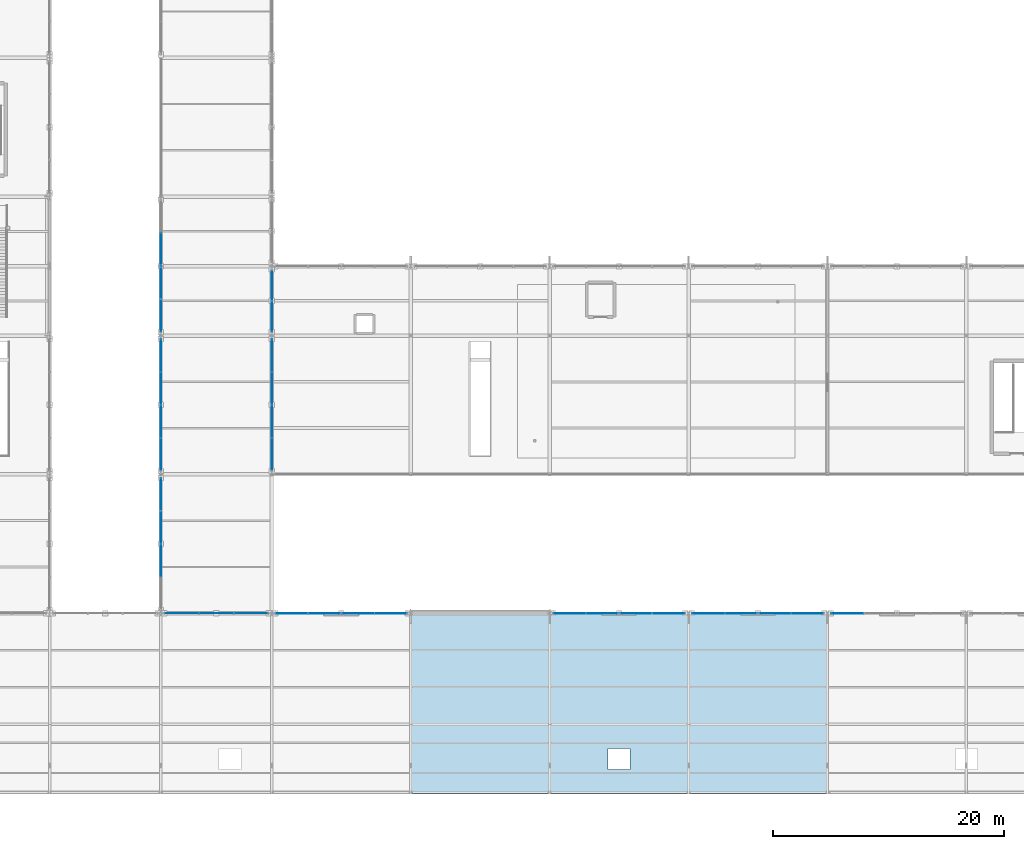
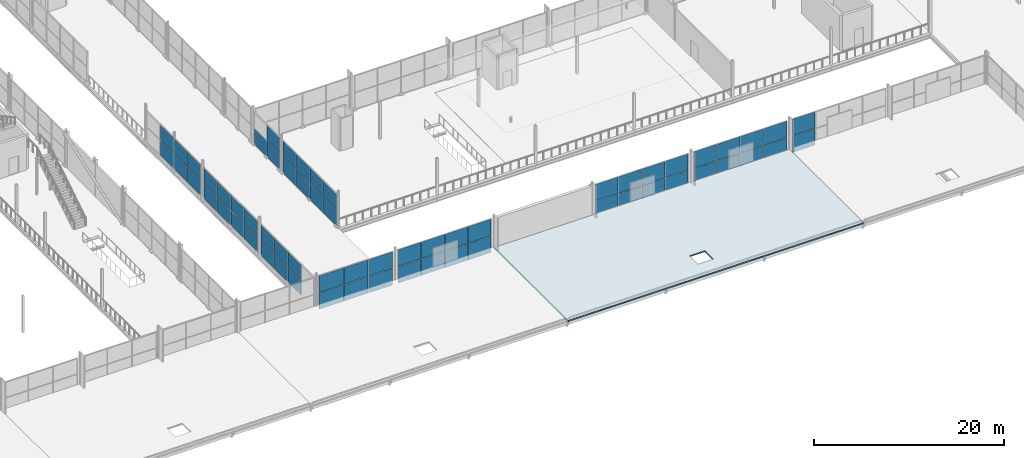
# One storey, part 121 of 159: 63 plates, 1 slab, 10 elements without a shape of their own.
"""IFC4 building model written with IfcOpenShell, lengths in metres."""

from ifc_helpers import new_model, si_unit, direction, frame, origin, origin_2d, place, context, subcontext, project, spatial, polyline, rectangle, outline, extrude, material, layer, layer_set, type_object, element, aggregate, save


model = new_model("IFC4")

# Units and contexts
model_context = context("Model", 3, precision=1e-05, world=origin(), true_north=direction((0.0, 1.0)))
body_context = subcontext(model_context, "Body", "Model", "MODEL_VIEW")
ifc_project = project(units=[si_unit("LENGTHUNIT", "METRE"), si_unit("AREAUNIT", "SQUARE_METRE"), si_unit("VOLUMEUNIT", "CUBIC_METRE"), si_unit("PLANEANGLEUNIT", "RADIAN"), si_unit("MASSUNIT", "GRAM", prefix="KILO")], contexts=[model_context])

# Site, building, storey
site_placement = place(None, origin())
site = spatial("IfcSite", under=ifc_project, at=site_placement, CompositionType="ELEMENT")
building_placement = place(site_placement, origin())
building = spatial("IfcBuilding", under=site, at=building_placement, Name="Merenkruunu Market Hall", CompositionType="ELEMENT")
storey_placement = place(building_placement, frame((0.0, 0.0, 5.39990234375)))
storey = spatial("IfcBuildingStorey", under=building, at=storey_placement, Name="L01", CompositionType="ELEMENT", Elevation=5.39990234375)

# Curtain wall, plates
ifc_material_1 = material(Name="Powder-coated aluminium", Category="aluminium")
curtain_wall_type_1 = type_object("IfcCurtainWallType", Name="Glazed Curtain Wall CW03", PredefinedType="USERDEFINED", material=ifc_material_1)
curtain_wall_1_placement = place(storey_placement, origin())
curtain_wall_1 = element("IfcCurtainWall", 1, at=curtain_wall_1_placement, inside=storey, type_object=curtain_wall_type_1, Name="CW-L01-CWM03-146", ObjectType="GLAZED_FACADE", PredefinedType="USERDEFINED")
ifc_material_2 = material(Name="Triple low-E insulated glass", Category="glass")
ifc_layer_1 = layer(ifc_material_2, 0.035888671875)
ifc_layer_set_1 = layer_set([ifc_layer_1], Name="Triple low-E insulated glass")
plate_type_1 = type_object("IfcPlateType", Name="Curtain Wall Glazing Panel CWP01", PredefinedType="CURTAIN_PANEL", material=ifc_layer_set_1)
plate_1_placement = place(storey_placement, frame((74.998291015625, 15.60009765625, 0.06005859375), z_axis=(0.0, 0.0, 1.0), x_axis=(-1.0, 0.0, 0.0)))
plate_1 = element("IfcPlate", 2, at=plate_1_placement, type_object=plate_type_1, Name="CW03 panel 1.1", PredefinedType="CURTAIN_PANEL", context=body_context, shape_type="SweptSolid", body=[
    extrude(rectangle(XDim=2.92333984375, YDim=0.035888671875, at=origin_2d()), origin(), (0.0, 0.0, 1.0), 2.110107421875),
])
plate_2_placement = place(storey_placement, frame((74.998291015625, 15.60009765625, 2.22998046875), z_axis=(0.0, 0.0, 1.0), x_axis=(-1.0, 0.0, 0.0)))
plate_2 = element("IfcPlate", 3, at=plate_2_placement, type_object=plate_type_1, Name="CW03 panel 1.2", PredefinedType="CURTAIN_PANEL", context=body_context, shape_type="SweptSolid", body=[
    extrude(rectangle(XDim=2.92333984375, YDim=0.035888671875, at=origin_2d()), origin(), (0.0, 0.0, 1.0), 2.110107421875),
])
plate_3_placement = place(storey_placement, frame((72.0, 15.60009765625, 0.06005859375), z_axis=(0.0, 0.0, 1.0), x_axis=(-1.0, 0.0, 0.0)))
plate_3 = element("IfcPlate", 4, at=plate_3_placement, type_object=plate_type_1, Name="CW03 panel 2.1", PredefinedType="CURTAIN_PANEL", context=body_context, shape_type="SweptSolid", body=[
    extrude(rectangle(XDim=2.953369140625, YDim=0.035888671875, at=origin_2d()), origin(), (0.0, 0.0, 1.0), 2.110107421875),
])
plate_4_placement = place(storey_placement, frame((72.0, 15.60009765625, 2.22998046875), z_axis=(0.0, 0.0, 1.0), x_axis=(-1.0, 0.0, 0.0)))
plate_4 = element("IfcPlate", 5, at=plate_4_placement, type_object=plate_type_1, Name="CW03 panel 2.2", PredefinedType="CURTAIN_PANEL", context=body_context, shape_type="SweptSolid", body=[
    extrude(rectangle(XDim=2.953369140625, YDim=0.035888671875, at=origin_2d()), origin(), (0.0, 0.0, 1.0), 2.110107421875),
])
plate_5_placement = place(storey_placement, frame((69.001708984375, 15.60009765625, 0.06005859375), z_axis=(0.0, 0.0, 1.0), x_axis=(-1.0, 0.0, 0.0)))
plate_5 = element("IfcPlate", 6, at=plate_5_placement, type_object=plate_type_1, Name="CW03 panel 3.1", PredefinedType="CURTAIN_PANEL", context=body_context, shape_type="SweptSolid", body=[
    extrude(rectangle(XDim=2.92333984375, YDim=0.035888671875, at=origin_2d()), origin(), (0.0, 0.0, 1.0), 2.110107421875),
])
plate_6_placement = place(storey_placement, frame((69.001708984375, 15.60009765625, 2.22998046875), z_axis=(0.0, 0.0, 1.0), x_axis=(-1.0, 0.0, 0.0)))
plate_6 = element("IfcPlate", 7, at=plate_6_placement, type_object=plate_type_1, Name="CW03 panel 3.2", PredefinedType="CURTAIN_PANEL", context=body_context, shape_type="SweptSolid", body=[
    extrude(rectangle(XDim=2.92333984375, YDim=0.035888671875, at=origin_2d()), origin(), (0.0, 0.0, 1.0), 2.110107421875),
])
aggregate(curtain_wall_1, [plate_1, plate_2, plate_3, plate_4, plate_5, plate_6])

curtain_wall_type_2 = type_object("IfcCurtainWallType", Name="Glazed Curtain Wall CW02", PredefinedType="USERDEFINED", material=ifc_material_1)
curtain_wall_2_placement = place(storey_placement, origin())
curtain_wall_2 = element("IfcCurtainWall", 8, at=curtain_wall_2_placement, inside=storey, type_object=curtain_wall_type_2, Name="CW-L01-CWM02-181", ObjectType="GLAZED_FACADE", PredefinedType="USERDEFINED")
ifc_layer_2 = layer(ifc_material_2, 0.0380859375)
ifc_layer_set_2 = layer_set([ifc_layer_2], Name="Triple low-E insulated glass")
plate_type_2 = type_object("IfcPlateType", Name="Curtain Wall Glazing Panel CWP04", PredefinedType="CURTAIN_PANEL", material=ifc_layer_set_2)
plate_7_placement = place(storey_placement, frame((87.074951171875, 15.60009765625, 0.06005859375), z_axis=(0.0, 0.0, 1.0), x_axis=(-1.0, 0.0, 0.0)))
plate_7 = element("IfcPlate", 9, at=plate_7_placement, type_object=plate_type_2, Name="CW02 panel 1.1", PredefinedType="CURTAIN_PANEL", context=body_context, shape_type="SweptSolid", body=[
    extrude(rectangle(XDim=2.77001953125, YDim=0.0380859375, at=origin_2d()), origin(), (0.0, 0.0, 1.0), 2.110107421875),
])
plate_8_placement = place(storey_placement, frame((87.074951171875, 15.60009765625, 2.22998046875), z_axis=(0.0, 0.0, 1.0), x_axis=(-1.0, 0.0, 0.0)))
plate_8 = element("IfcPlate", 10, at=plate_8_placement, type_object=plate_type_2, Name="CW02 panel 1.2", PredefinedType="CURTAIN_PANEL", context=body_context, shape_type="SweptSolid", body=[
    extrude(rectangle(XDim=2.77001953125, YDim=0.0380859375, at=origin_2d()), origin(), (0.0, 0.0, 1.0), 2.110107421875),
])
plate_9_placement = place(storey_placement, frame((84.22998046875, 15.60009765625, 0.06005859375), z_axis=(0.0, 0.0, 1.0), x_axis=(-1.0, 0.0, 0.0)))
plate_9 = element("IfcPlate", 11, at=plate_9_placement, type_object=plate_type_2, Name="CW02 panel 2.1", PredefinedType="CURTAIN_PANEL", context=body_context, shape_type="SweptSolid", body=[
    extrude(rectangle(XDim=2.800048828125, YDim=0.0380859375, at=origin_2d()), origin(), (0.0, 0.0, 1.0), 2.110107421875),
])
plate_10_placement = place(storey_placement, frame((84.22998046875, 15.60009765625, 2.22998046875), z_axis=(0.0, 0.0, 1.0), x_axis=(-1.0, 0.0, 0.0)))
plate_10 = element("IfcPlate", 12, at=plate_10_placement, type_object=plate_type_2, Name="CW02 panel 2.2", PredefinedType="CURTAIN_PANEL", context=body_context, shape_type="SweptSolid", body=[
    extrude(rectangle(XDim=2.800048828125, YDim=0.0380859375, at=origin_2d()), origin(), (0.0, 0.0, 1.0), 2.110107421875),
])
plate_11_placement = place(storey_placement, frame((81.3701171875, 15.60009765625, 0.06005859375), z_axis=(0.0, 0.0, 1.0), x_axis=(-1.0, 0.0, 0.0)))
plate_11 = element("IfcPlate", 13, at=plate_11_placement, type_object=plate_type_2, Name="CW02 panel 3.1", PredefinedType="CURTAIN_PANEL", context=body_context, shape_type="SweptSolid", body=[
    extrude(rectangle(XDim=2.800048828125, YDim=0.0380859375, at=origin_2d()), origin(), (0.0, 0.0, 1.0), 2.110107421875),
])
plate_12_placement = place(storey_placement, frame((81.3701171875, 15.60009765625, 2.22998046875), z_axis=(0.0, 0.0, 1.0), x_axis=(-1.0, 0.0, 0.0)))
plate_12 = element("IfcPlate", 14, at=plate_12_placement, type_object=plate_type_2, Name="CW02 panel 3.2", PredefinedType="CURTAIN_PANEL", context=body_context, shape_type="SweptSolid", body=[
    extrude(rectangle(XDim=2.800048828125, YDim=0.0380859375, at=origin_2d()), origin(), (0.0, 0.0, 1.0), 2.110107421875),
])
plate_13_placement = place(storey_placement, frame((78.52490234375, 15.60009765625, 0.06005859375), z_axis=(0.0, 0.0, 1.0), x_axis=(-1.0, 0.0, 0.0)))
plate_13 = element("IfcPlate", 15, at=plate_13_placement, type_object=plate_type_2, Name="CW02 panel 4.1", PredefinedType="CURTAIN_PANEL", context=body_context, shape_type="SweptSolid", body=[
    extrude(rectangle(XDim=2.77001953125, YDim=0.0380859375, at=origin_2d()), origin(), (0.0, 0.0, 1.0), 2.110107421875),
])
plate_14_placement = place(storey_placement, frame((78.52490234375, 15.60009765625, 2.22998046875), z_axis=(0.0, 0.0, 1.0), x_axis=(-1.0, 0.0, 0.0)))
plate_14 = element("IfcPlate", 16, at=plate_14_placement, type_object=plate_type_2, Name="CW02 panel 4.2", PredefinedType="CURTAIN_PANEL", context=body_context, shape_type="SweptSolid", body=[
    extrude(rectangle(XDim=2.77001953125, YDim=0.0380859375, at=origin_2d()), origin(), (0.0, 0.0, 1.0), 2.110107421875),
])
aggregate(curtain_wall_2, [plate_7, plate_8, plate_9, plate_10, plate_11, plate_12, plate_13, plate_14])

curtain_wall_3_placement = place(storey_placement, origin())
curtain_wall_3 = element("IfcCurtainWall", 17, at=curtain_wall_3_placement, inside=storey, type_object=curtain_wall_type_2, Name="CW-L01-CWM02-187", ObjectType="GLAZED_FACADE", PredefinedType="USERDEFINED")
plate_15_placement = place(storey_placement, frame((111.074951171875, 15.60009765625, 0.06005859375), z_axis=(0.0, 0.0, 1.0), x_axis=(-1.0, 0.0, 0.0)))
plate_15 = element("IfcPlate", 18, at=plate_15_placement, type_object=plate_type_2, Name="CW02 panel 1.1", PredefinedType="CURTAIN_PANEL", context=body_context, shape_type="SweptSolid", body=[
    extrude(rectangle(XDim=2.77001953125, YDim=0.0380859375, at=origin_2d()), origin(), (0.0, 0.0, 1.0), 2.110107421875),
])
plate_16_placement = place(storey_placement, frame((111.074951171875, 15.60009765625, 2.22998046875), z_axis=(0.0, 0.0, 1.0), x_axis=(-1.0, 0.0, 0.0)))
plate_16 = element("IfcPlate", 19, at=plate_16_placement, type_object=plate_type_2, Name="CW02 panel 1.2", PredefinedType="CURTAIN_PANEL", context=body_context, shape_type="SweptSolid", body=[
    extrude(rectangle(XDim=2.77001953125, YDim=0.0380859375, at=origin_2d()), origin(), (0.0, 0.0, 1.0), 2.110107421875),
])
plate_17_placement = place(storey_placement, frame((108.22998046875, 15.60009765625, 0.06005859375), z_axis=(0.0, 0.0, 1.0), x_axis=(-1.0, 0.0, 0.0)))
plate_17 = element("IfcPlate", 20, at=plate_17_placement, type_object=plate_type_2, Name="CW02 panel 2.1", PredefinedType="CURTAIN_PANEL", context=body_context, shape_type="SweptSolid", body=[
    extrude(rectangle(XDim=2.800048828125, YDim=0.0380859375, at=origin_2d()), origin(), (0.0, 0.0, 1.0), 2.110107421875),
])
plate_18_placement = place(storey_placement, frame((108.22998046875, 15.60009765625, 2.22998046875), z_axis=(0.0, 0.0, 1.0), x_axis=(-1.0, 0.0, 0.0)))
plate_18 = element("IfcPlate", 21, at=plate_18_placement, type_object=plate_type_2, Name="CW02 panel 2.2", PredefinedType="CURTAIN_PANEL", context=body_context, shape_type="SweptSolid", body=[
    extrude(rectangle(XDim=2.800048828125, YDim=0.0380859375, at=origin_2d()), origin(), (0.0, 0.0, 1.0), 2.110107421875),
])
plate_19_placement = place(storey_placement, frame((105.3701171875, 15.60009765625, 0.06005859375), z_axis=(0.0, 0.0, 1.0), x_axis=(-1.0, 0.0, 0.0)))
plate_19 = element("IfcPlate", 22, at=plate_19_placement, type_object=plate_type_2, Name="CW02 panel 3.1", PredefinedType="CURTAIN_PANEL", context=body_context, shape_type="SweptSolid", body=[
    extrude(rectangle(XDim=2.800048828125, YDim=0.0380859375, at=origin_2d()), origin(), (0.0, 0.0, 1.0), 2.110107421875),
])
plate_20_placement = place(storey_placement, frame((105.3701171875, 15.60009765625, 2.22998046875), z_axis=(0.0, 0.0, 1.0), x_axis=(-1.0, 0.0, 0.0)))
plate_20 = element("IfcPlate", 23, at=plate_20_placement, type_object=plate_type_2, Name="CW02 panel 3.2", PredefinedType="CURTAIN_PANEL", context=body_context, shape_type="SweptSolid", body=[
    extrude(rectangle(XDim=2.800048828125, YDim=0.0380859375, at=origin_2d()), origin(), (0.0, 0.0, 1.0), 2.110107421875),
])
plate_21_placement = place(storey_placement, frame((102.52490234375, 15.60009765625, 0.06005859375), z_axis=(0.0, 0.0, 1.0), x_axis=(-1.0, 0.0, 0.0)))
plate_21 = element("IfcPlate", 24, at=plate_21_placement, type_object=plate_type_2, Name="CW02 panel 4.1", PredefinedType="CURTAIN_PANEL", context=body_context, shape_type="SweptSolid", body=[
    extrude(rectangle(XDim=2.77001953125, YDim=0.0380859375, at=origin_2d()), origin(), (0.0, 0.0, 1.0), 2.110107421875),
])
plate_22_placement = place(storey_placement, frame((102.52490234375, 15.60009765625, 2.22998046875), z_axis=(0.0, 0.0, 1.0), x_axis=(-1.0, 0.0, 0.0)))
plate_22 = element("IfcPlate", 25, at=plate_22_placement, type_object=plate_type_2, Name="CW02 panel 4.2", PredefinedType="CURTAIN_PANEL", context=body_context, shape_type="SweptSolid", body=[
    extrude(rectangle(XDim=2.77001953125, YDim=0.0380859375, at=origin_2d()), origin(), (0.0, 0.0, 1.0), 2.110107421875),
])
aggregate(curtain_wall_3, [plate_15, plate_16, plate_17, plate_18, plate_19, plate_20, plate_21, plate_22])

curtain_wall_4_placement = place(storey_placement, origin())
curtain_wall_4 = element("IfcCurtainWall", 26, at=curtain_wall_4_placement, inside=storey, type_object=curtain_wall_type_2, Name="CW-L01-CWM02-191", ObjectType="GLAZED_FACADE", PredefinedType="USERDEFINED")
plate_23_placement = place(storey_placement, frame((123.074951171875, 15.60009765625, 0.06005859375), z_axis=(0.0, 0.0, 1.0), x_axis=(-1.0, 0.0, 0.0)))
plate_23 = element("IfcPlate", 27, at=plate_23_placement, type_object=plate_type_2, Name="CW02 panel 1.1", PredefinedType="CURTAIN_PANEL", context=body_context, shape_type="SweptSolid", body=[
    extrude(rectangle(XDim=2.77001953125, YDim=0.0380859375, at=origin_2d()), origin(), (0.0, 0.0, 1.0), 2.110107421875),
])
plate_24_placement = place(storey_placement, frame((123.074951171875, 15.60009765625, 2.22998046875), z_axis=(0.0, 0.0, 1.0), x_axis=(-1.0, 0.0, 0.0)))
plate_24 = element("IfcPlate", 28, at=plate_24_placement, type_object=plate_type_2, Name="CW02 panel 1.2", PredefinedType="CURTAIN_PANEL", context=body_context, shape_type="SweptSolid", body=[
    extrude(rectangle(XDim=2.77001953125, YDim=0.0380859375, at=origin_2d()), origin(), (0.0, 0.0, 1.0), 2.110107421875),
])
plate_25_placement = place(storey_placement, frame((120.22998046875, 15.60009765625, 0.06005859375), z_axis=(0.0, 0.0, 1.0), x_axis=(-1.0, 0.0, 0.0)))
plate_25 = element("IfcPlate", 29, at=plate_25_placement, type_object=plate_type_2, Name="CW02 panel 2.1", PredefinedType="CURTAIN_PANEL", context=body_context, shape_type="SweptSolid", body=[
    extrude(rectangle(XDim=2.800048828125, YDim=0.0380859375, at=origin_2d()), origin(), (0.0, 0.0, 1.0), 2.110107421875),
])
plate_26_placement = place(storey_placement, frame((120.22998046875, 15.60009765625, 2.22998046875), z_axis=(0.0, 0.0, 1.0), x_axis=(-1.0, 0.0, 0.0)))
plate_26 = element("IfcPlate", 30, at=plate_26_placement, type_object=plate_type_2, Name="CW02 panel 2.2", PredefinedType="CURTAIN_PANEL", context=body_context, shape_type="SweptSolid", body=[
    extrude(rectangle(XDim=2.800048828125, YDim=0.0380859375, at=origin_2d()), origin(), (0.0, 0.0, 1.0), 2.110107421875),
])
plate_27_placement = place(storey_placement, frame((117.3701171875, 15.60009765625, 0.06005859375), z_axis=(0.0, 0.0, 1.0), x_axis=(-1.0, 0.0, 0.0)))
plate_27 = element("IfcPlate", 31, at=plate_27_placement, type_object=plate_type_2, Name="CW02 panel 3.1", PredefinedType="CURTAIN_PANEL", context=body_context, shape_type="SweptSolid", body=[
    extrude(rectangle(XDim=2.800048828125, YDim=0.0380859375, at=origin_2d()), origin(), (0.0, 0.0, 1.0), 2.110107421875),
])
plate_28_placement = place(storey_placement, frame((117.3701171875, 15.60009765625, 2.22998046875), z_axis=(0.0, 0.0, 1.0), x_axis=(-1.0, 0.0, 0.0)))
plate_28 = element("IfcPlate", 32, at=plate_28_placement, type_object=plate_type_2, Name="CW02 panel 3.2", PredefinedType="CURTAIN_PANEL", context=body_context, shape_type="SweptSolid", body=[
    extrude(rectangle(XDim=2.800048828125, YDim=0.0380859375, at=origin_2d()), origin(), (0.0, 0.0, 1.0), 2.110107421875),
])
plate_29_placement = place(storey_placement, frame((114.52490234375, 15.60009765625, 0.06005859375), z_axis=(0.0, 0.0, 1.0), x_axis=(-1.0, 0.0, 0.0)))
plate_29 = element("IfcPlate", 33, at=plate_29_placement, type_object=plate_type_2, Name="CW02 panel 4.1", PredefinedType="CURTAIN_PANEL", context=body_context, shape_type="SweptSolid", body=[
    extrude(rectangle(XDim=2.77001953125, YDim=0.0380859375, at=origin_2d()), origin(), (0.0, 0.0, 1.0), 2.110107421875),
])
plate_30_placement = place(storey_placement, frame((114.52490234375, 15.60009765625, 2.22998046875), z_axis=(0.0, 0.0, 1.0), x_axis=(-1.0, 0.0, 0.0)))
plate_30 = element("IfcPlate", 34, at=plate_30_placement, type_object=plate_type_2, Name="CW02 panel 4.2", PredefinedType="CURTAIN_PANEL", context=body_context, shape_type="SweptSolid", body=[
    extrude(rectangle(XDim=2.77001953125, YDim=0.0380859375, at=origin_2d()), origin(), (0.0, 0.0, 1.0), 2.110107421875),
])
aggregate(curtain_wall_4, [plate_23, plate_24, plate_25, plate_26, plate_27, plate_28, plate_29, plate_30])

curtain_wall_5_placement = place(storey_placement, origin())
curtain_wall_5 = element("IfcCurtainWall", 35, at=curtain_wall_5_placement, inside=storey, type_object=curtain_wall_type_2, Name="CW-L01-CWM02-195", ObjectType="GLAZED_FACADE", PredefinedType="USERDEFINED")
plate_31_placement = place(storey_placement, frame((126.52490234375, 15.60009765625, 0.06005859375), z_axis=(0.0, 0.0, 1.0), x_axis=(-1.0, 0.0, 0.0)))
plate_31 = element("IfcPlate", 36, at=plate_31_placement, type_object=plate_type_2, Name="CW02 panel 4.1", PredefinedType="CURTAIN_PANEL", context=body_context, shape_type="SweptSolid", body=[
    extrude(rectangle(XDim=2.77001953125, YDim=0.0380859375, at=origin_2d()), origin(), (0.0, 0.0, 1.0), 2.110107421875),
])
plate_32_placement = place(storey_placement, frame((126.52490234375, 15.60009765625, 2.22998046875), z_axis=(0.0, 0.0, 1.0), x_axis=(-1.0, 0.0, 0.0)))
plate_32 = element("IfcPlate", 37, at=plate_32_placement, type_object=plate_type_2, Name="CW02 panel 4.2", PredefinedType="CURTAIN_PANEL", context=body_context, shape_type="SweptSolid", body=[
    extrude(rectangle(XDim=2.77001953125, YDim=0.0380859375, at=origin_2d()), origin(), (0.0, 0.0, 1.0), 2.110107421875),
])
aggregate(curtain_wall_5, [plate_31, plate_32])

curtain_wall_type_3 = type_object("IfcCurtainWallType", Name="Glazed Curtain Wall CW14", PredefinedType="USERDEFINED", material=ifc_material_1)
curtain_wall_6_placement = place(storey_placement, origin())
curtain_wall_6 = element("IfcCurtainWall", 38, at=curtain_wall_6_placement, inside=storey, type_object=curtain_wall_type_3, Name="CW-L01-CWM01-153", ObjectType="GLAZED_FACADE", PredefinedType="USERDEFINED")
ifc_layer_3 = layer(ifc_material_2, 0.035888671875)
ifc_layer_set_3 = layer_set([ifc_layer_3], Name="Triple low-E insulated glass")
plate_type_3 = type_object("IfcPlateType", Name="Curtain Wall Glazing Panel CWP09", PredefinedType="CURTAIN_PANEL", material=ifc_layer_set_3)
plate_33_placement = place(storey_placement, frame((76.800048828125, 29.324951171875, 0.06005859375), z_axis=(0.0, 0.0, 1.0), x_axis=(0.0, 1.0, 0.0)))
plate_33 = element("IfcPlate", 39, at=plate_33_placement, type_object=plate_type_3, Name="CW14 panel 1.1", PredefinedType="CURTAIN_PANEL", context=body_context, shape_type="SweptSolid", body=[
    extrude(rectangle(XDim=2.77001953125, YDim=0.035888671875, at=origin_2d()), origin(), (0.0, 0.0, 1.0), 2.010009765625),
])
plate_34_placement = place(storey_placement, frame((76.800048828125, 29.324951171875, 2.1298828125), z_axis=(0.0, 0.0, 1.0), x_axis=(0.0, 1.0, 0.0)))
plate_34 = element("IfcPlate", 40, at=plate_34_placement, type_object=plate_type_3, Name="CW14 panel 1.2", PredefinedType="CURTAIN_PANEL", context=body_context, shape_type="SweptSolid", body=[
    extrude(rectangle(XDim=2.77001953125, YDim=0.035888671875, at=origin_2d()), origin(), (0.0, 0.0, 1.0), 2.010009765625),
])
plate_35_placement = place(storey_placement, frame((76.800048828125, 32.169921875, 0.06005859375), z_axis=(0.0, 0.0, 1.0), x_axis=(0.0, 1.0, 0.0)))
plate_35 = element("IfcPlate", 41, at=plate_35_placement, type_object=plate_type_3, Name="CW14 panel 2.1", PredefinedType="CURTAIN_PANEL", context=body_context, shape_type="SweptSolid", body=[
    extrude(rectangle(XDim=2.800048828125, YDim=0.035888671875, at=origin_2d()), origin(), (0.0, 0.0, 1.0), 2.010009765625),
])
plate_36_placement = place(storey_placement, frame((76.800048828125, 32.169921875, 2.1298828125), z_axis=(0.0, 0.0, 1.0), x_axis=(0.0, 1.0, 0.0)))
plate_36 = element("IfcPlate", 42, at=plate_36_placement, type_object=plate_type_3, Name="CW14 panel 2.2", PredefinedType="CURTAIN_PANEL", context=body_context, shape_type="SweptSolid", body=[
    extrude(rectangle(XDim=2.800048828125, YDim=0.035888671875, at=origin_2d()), origin(), (0.0, 0.0, 1.0), 2.010009765625),
])
plate_37_placement = place(storey_placement, frame((76.800048828125, 35.030029296875, 0.06005859375), z_axis=(0.0, 0.0, 1.0), x_axis=(0.0, 1.0, 0.0)))
plate_37 = element("IfcPlate", 43, at=plate_37_placement, type_object=plate_type_3, Name="CW14 panel 3.1", PredefinedType="CURTAIN_PANEL", context=body_context, shape_type="SweptSolid", body=[
    extrude(rectangle(XDim=2.800048828125, YDim=0.035888671875, at=origin_2d()), origin(), (0.0, 0.0, 1.0), 2.010009765625),
])
plate_38_placement = place(storey_placement, frame((76.800048828125, 35.030029296875, 2.1298828125), z_axis=(0.0, 0.0, 1.0), x_axis=(0.0, 1.0, 0.0)))
plate_38 = element("IfcPlate", 44, at=plate_38_placement, type_object=plate_type_3, Name="CW14 panel 3.2", PredefinedType="CURTAIN_PANEL", context=body_context, shape_type="SweptSolid", body=[
    extrude(rectangle(XDim=2.800048828125, YDim=0.035888671875, at=origin_2d()), origin(), (0.0, 0.0, 1.0), 2.010009765625),
])
plate_39_placement = place(storey_placement, frame((76.800048828125, 37.875, 0.06005859375), z_axis=(0.0, 0.0, 1.0), x_axis=(0.0, 1.0, 0.0)))
plate_39 = element("IfcPlate", 45, at=plate_39_placement, type_object=plate_type_3, Name="CW14 panel 4.1", PredefinedType="CURTAIN_PANEL", context=body_context, shape_type="SweptSolid", body=[
    extrude(rectangle(XDim=2.77001953125, YDim=0.035888671875, at=origin_2d()), origin(), (0.0, 0.0, 1.0), 2.010009765625),
])
plate_40_placement = place(storey_placement, frame((76.800048828125, 37.875, 2.1298828125), z_axis=(0.0, 0.0, 1.0), x_axis=(0.0, 1.0, 0.0)))
plate_40 = element("IfcPlate", 46, at=plate_40_placement, type_object=plate_type_3, Name="CW14 panel 4.2", PredefinedType="CURTAIN_PANEL", context=body_context, shape_type="SweptSolid", body=[
    extrude(rectangle(XDim=2.77001953125, YDim=0.035888671875, at=origin_2d()), origin(), (0.0, 0.0, 1.0), 2.010009765625),
])
aggregate(curtain_wall_6, [plate_33, plate_34, plate_35, plate_36, plate_37, plate_38, plate_39, plate_40])

curtain_wall_7_placement = place(storey_placement, origin())
curtain_wall_7 = element("IfcCurtainWall", 47, at=curtain_wall_7_placement, inside=storey, type_object=curtain_wall_type_3, Name="CW-L01-CWM01-155", ObjectType="GLAZED_FACADE", PredefinedType="USERDEFINED")
plate_41_placement = place(storey_placement, frame((76.800048828125, 41.2548828125, 0.06005859375), z_axis=(0.0, 0.0, 1.0), x_axis=(0.0, 1.0, 0.0)))
plate_41 = element("IfcPlate", 48, at=plate_41_placement, type_object=plate_type_3, Name="CW14 panel 1.1", PredefinedType="CURTAIN_PANEL", context=body_context, shape_type="SweptSolid", body=[
    extrude(rectangle(XDim=2.6298828125, YDim=0.035888671875, at=origin_2d()), origin(), (0.0, 0.0, 1.0), 2.010009765625),
])
plate_42_placement = place(storey_placement, frame((76.800048828125, 41.2548828125, 2.1298828125), z_axis=(0.0, 0.0, 1.0), x_axis=(0.0, 1.0, 0.0)))
plate_42 = element("IfcPlate", 49, at=plate_42_placement, type_object=plate_type_3, Name="CW14 panel 1.2", PredefinedType="CURTAIN_PANEL", context=body_context, shape_type="SweptSolid", body=[
    extrude(rectangle(XDim=2.6298828125, YDim=0.035888671875, at=origin_2d()), origin(), (0.0, 0.0, 1.0), 2.010009765625),
])
plate_43_placement = place(storey_placement, frame((76.800048828125, 43.945068359375, 0.06005859375), z_axis=(0.0, 0.0, 1.0), x_axis=(0.0, 1.0, 0.0)))
plate_43 = element("IfcPlate", 50, at=plate_43_placement, type_object=plate_type_3, Name="CW14 panel 2.1", PredefinedType="CURTAIN_PANEL", context=body_context, shape_type="SweptSolid", body=[
    extrude(rectangle(XDim=2.6298828125, YDim=0.035888671875, at=origin_2d()), origin(), (0.0, 0.0, 1.0), 2.010009765625),
])
aggregate(curtain_wall_7, [plate_41, plate_42, plate_43])

curtain_wall_type_4 = type_object("IfcCurtainWallType", Name="Glazed Curtain Wall CW16", PredefinedType="USERDEFINED", material=ifc_material_1)
curtain_wall_8_placement = place(storey_placement, origin())
curtain_wall_8 = element("IfcCurtainWall", 51, at=curtain_wall_8_placement, inside=storey, type_object=curtain_wall_type_4, Name="CW-L01-CWM02-169", ObjectType="GLAZED_FACADE", PredefinedType="USERDEFINED")
ifc_layer_4 = layer(ifc_material_2, 0.0380859375)
ifc_layer_set_4 = layer_set([ifc_layer_4], Name="Triple low-E insulated glass")
plate_type_4 = type_object("IfcPlateType", Name="Curtain Wall Glazing Panel CWP10", PredefinedType="CURTAIN_PANEL", material=ifc_layer_set_4)
plate_44_placement = place(storey_placement, frame((67.199951171875, 20.169921875, 0.06005859375), z_axis=(0.0, 0.0, 1.0), x_axis=(0.0, 1.0, 0.0)))
plate_44 = element("IfcPlate", 52, at=plate_44_placement, type_object=plate_type_4, Name="CW16 panel 2.1", PredefinedType="CURTAIN_PANEL", context=body_context, shape_type="SweptSolid", body=[
    extrude(rectangle(XDim=2.800048828125, YDim=0.0380859375, at=origin_2d()), origin(), (0.0, 0.0, 1.0), 1.93505859375),
])
plate_45_placement = place(storey_placement, frame((67.199951171875, 20.169921875, 2.05517578125), z_axis=(0.0, 0.0, 1.0), x_axis=(0.0, 1.0, 0.0)))
plate_45 = element("IfcPlate", 53, at=plate_45_placement, type_object=plate_type_4, Name="CW16 panel 2.2", PredefinedType="CURTAIN_PANEL", context=body_context, shape_type="SweptSolid", body=[
    extrude(rectangle(XDim=2.800048828125, YDim=0.0380859375, at=origin_2d()), origin(), (0.0, 0.0, 1.0), 1.93505859375),
])
plate_46_placement = place(storey_placement, frame((67.199951171875, 23.030029296875, 0.06005859375), z_axis=(0.0, 0.0, 1.0), x_axis=(0.0, 1.0, 0.0)))
plate_46 = element("IfcPlate", 54, at=plate_46_placement, type_object=plate_type_4, Name="CW16 panel 3.1", PredefinedType="CURTAIN_PANEL", context=body_context, shape_type="SweptSolid", body=[
    extrude(rectangle(XDim=2.800048828125, YDim=0.0380859375, at=origin_2d()), origin(), (0.0, 0.0, 1.0), 1.93505859375),
])
plate_47_placement = place(storey_placement, frame((67.199951171875, 23.030029296875, 2.05517578125), z_axis=(0.0, 0.0, 1.0), x_axis=(0.0, 1.0, 0.0)))
plate_47 = element("IfcPlate", 55, at=plate_47_placement, type_object=plate_type_4, Name="CW16 panel 3.2", PredefinedType="CURTAIN_PANEL", context=body_context, shape_type="SweptSolid", body=[
    extrude(rectangle(XDim=2.800048828125, YDim=0.0380859375, at=origin_2d()), origin(), (0.0, 0.0, 1.0), 1.93505859375),
])
plate_48_placement = place(storey_placement, frame((67.199951171875, 25.875, 0.06005859375), z_axis=(0.0, 0.0, 1.0), x_axis=(0.0, 1.0, 0.0)))
plate_48 = element("IfcPlate", 56, at=plate_48_placement, type_object=plate_type_4, Name="CW16 panel 4.1", PredefinedType="CURTAIN_PANEL", context=body_context, shape_type="SweptSolid", body=[
    extrude(rectangle(XDim=2.77001953125, YDim=0.0380859375, at=origin_2d()), origin(), (0.0, 0.0, 1.0), 1.93505859375),
])
plate_49_placement = place(storey_placement, frame((67.199951171875, 25.875, 2.05517578125), z_axis=(0.0, 0.0, 1.0), x_axis=(0.0, 1.0, 0.0)))
plate_49 = element("IfcPlate", 57, at=plate_49_placement, type_object=plate_type_4, Name="CW16 panel 4.2", PredefinedType="CURTAIN_PANEL", context=body_context, shape_type="SweptSolid", body=[
    extrude(rectangle(XDim=2.77001953125, YDim=0.0380859375, at=origin_2d()), origin(), (0.0, 0.0, 1.0), 1.93505859375),
])
aggregate(curtain_wall_8, [plate_44, plate_45, plate_46, plate_47, plate_48, plate_49])

curtain_wall_9_placement = place(storey_placement, origin())
curtain_wall_9 = element("IfcCurtainWall", 58, at=curtain_wall_9_placement, inside=storey, type_object=curtain_wall_type_4, Name="CW-L01-CWM02-171", ObjectType="GLAZED_FACADE", PredefinedType="USERDEFINED")
plate_50_placement = place(storey_placement, frame((67.199951171875, 29.324951171875, 0.06005859375), z_axis=(0.0, 0.0, 1.0), x_axis=(0.0, 1.0, 0.0)))
plate_50 = element("IfcPlate", 59, at=plate_50_placement, type_object=plate_type_4, Name="CW16 panel 1.1", PredefinedType="CURTAIN_PANEL", context=body_context, shape_type="SweptSolid", body=[
    extrude(rectangle(XDim=2.77001953125, YDim=0.0380859375, at=origin_2d()), origin(), (0.0, 0.0, 1.0), 1.93505859375),
])
plate_51_placement = place(storey_placement, frame((67.199951171875, 29.324951171875, 2.05517578125), z_axis=(0.0, 0.0, 1.0), x_axis=(0.0, 1.0, 0.0)))
plate_51 = element("IfcPlate", 60, at=plate_51_placement, type_object=plate_type_4, Name="CW16 panel 1.2", PredefinedType="CURTAIN_PANEL", context=body_context, shape_type="SweptSolid", body=[
    extrude(rectangle(XDim=2.77001953125, YDim=0.0380859375, at=origin_2d()), origin(), (0.0, 0.0, 1.0), 1.93505859375),
])
plate_52_placement = place(storey_placement, frame((67.199951171875, 32.169921875, 0.06005859375), z_axis=(0.0, 0.0, 1.0), x_axis=(0.0, 1.0, 0.0)))
plate_52 = element("IfcPlate", 61, at=plate_52_placement, type_object=plate_type_4, Name="CW16 panel 2.1", PredefinedType="CURTAIN_PANEL", context=body_context, shape_type="SweptSolid", body=[
    extrude(rectangle(XDim=2.800048828125, YDim=0.0380859375, at=origin_2d()), origin(), (0.0, 0.0, 1.0), 1.93505859375),
])
plate_53_placement = place(storey_placement, frame((67.199951171875, 32.169921875, 2.05517578125), z_axis=(0.0, 0.0, 1.0), x_axis=(0.0, 1.0, 0.0)))
plate_53 = element("IfcPlate", 62, at=plate_53_placement, type_object=plate_type_4, Name="CW16 panel 2.2", PredefinedType="CURTAIN_PANEL", context=body_context, shape_type="SweptSolid", body=[
    extrude(rectangle(XDim=2.800048828125, YDim=0.0380859375, at=origin_2d()), origin(), (0.0, 0.0, 1.0), 1.93505859375),
])
plate_54_placement = place(storey_placement, frame((67.199951171875, 35.030029296875, 0.06005859375), z_axis=(0.0, 0.0, 1.0), x_axis=(0.0, 1.0, 0.0)))
plate_54 = element("IfcPlate", 63, at=plate_54_placement, type_object=plate_type_4, Name="CW16 panel 3.1", PredefinedType="CURTAIN_PANEL", context=body_context, shape_type="SweptSolid", body=[
    extrude(rectangle(XDim=2.800048828125, YDim=0.0380859375, at=origin_2d()), origin(), (0.0, 0.0, 1.0), 1.93505859375),
])
plate_55_placement = place(storey_placement, frame((67.199951171875, 35.030029296875, 2.05517578125), z_axis=(0.0, 0.0, 1.0), x_axis=(0.0, 1.0, 0.0)))
plate_55 = element("IfcPlate", 64, at=plate_55_placement, type_object=plate_type_4, Name="CW16 panel 3.2", PredefinedType="CURTAIN_PANEL", context=body_context, shape_type="SweptSolid", body=[
    extrude(rectangle(XDim=2.800048828125, YDim=0.0380859375, at=origin_2d()), origin(), (0.0, 0.0, 1.0), 1.93505859375),
])
plate_56_placement = place(storey_placement, frame((67.199951171875, 37.875, 0.06005859375), z_axis=(0.0, 0.0, 1.0), x_axis=(0.0, 1.0, 0.0)))
plate_56 = element("IfcPlate", 65, at=plate_56_placement, type_object=plate_type_4, Name="CW16 panel 4.1", PredefinedType="CURTAIN_PANEL", context=body_context, shape_type="SweptSolid", body=[
    extrude(rectangle(XDim=2.77001953125, YDim=0.0380859375, at=origin_2d()), origin(), (0.0, 0.0, 1.0), 1.93505859375),
])
plate_57_placement = place(storey_placement, frame((67.199951171875, 37.875, 2.05517578125), z_axis=(0.0, 0.0, 1.0), x_axis=(0.0, 1.0, 0.0)))
plate_57 = element("IfcPlate", 66, at=plate_57_placement, type_object=plate_type_4, Name="CW16 panel 4.2", PredefinedType="CURTAIN_PANEL", context=body_context, shape_type="SweptSolid", body=[
    extrude(rectangle(XDim=2.77001953125, YDim=0.0380859375, at=origin_2d()), origin(), (0.0, 0.0, 1.0), 1.93505859375),
])
aggregate(curtain_wall_9, [plate_50, plate_51, plate_52, plate_53, plate_54, plate_55, plate_56, plate_57])

curtain_wall_10_placement = place(storey_placement, origin())
curtain_wall_10 = element("IfcCurtainWall", 67, at=curtain_wall_10_placement, inside=storey, type_object=curtain_wall_type_4, Name="CW-L01-CWM02-173", ObjectType="GLAZED_FACADE", PredefinedType="USERDEFINED")
plate_58_placement = place(storey_placement, frame((67.199951171875, 41.324951171875, 0.06005859375), z_axis=(0.0, 0.0, 1.0), x_axis=(0.0, 1.0, 0.0)))
plate_58 = element("IfcPlate", 68, at=plate_58_placement, type_object=plate_type_4, Name="CW16 panel 1.1", PredefinedType="CURTAIN_PANEL", context=body_context, shape_type="SweptSolid", body=[
    extrude(rectangle(XDim=2.77001953125, YDim=0.0380859375, at=origin_2d()), origin(), (0.0, 0.0, 1.0), 1.93505859375),
])
plate_59_placement = place(storey_placement, frame((67.199951171875, 41.324951171875, 2.05517578125), z_axis=(0.0, 0.0, 1.0), x_axis=(0.0, 1.0, 0.0)))
plate_59 = element("IfcPlate", 69, at=plate_59_placement, type_object=plate_type_4, Name="CW16 panel 1.2", PredefinedType="CURTAIN_PANEL", context=body_context, shape_type="SweptSolid", body=[
    extrude(rectangle(XDim=2.77001953125, YDim=0.0380859375, at=origin_2d()), origin(), (0.0, 0.0, 1.0), 1.93505859375),
])
plate_60_placement = place(storey_placement, frame((67.199951171875, 44.169921875, 0.06005859375), z_axis=(0.0, 0.0, 1.0), x_axis=(0.0, 1.0, 0.0)))
plate_60 = element("IfcPlate", 70, at=plate_60_placement, type_object=plate_type_4, Name="CW16 panel 2.1", PredefinedType="CURTAIN_PANEL", context=body_context, shape_type="SweptSolid", body=[
    extrude(rectangle(XDim=2.800048828125, YDim=0.0380859375, at=origin_2d()), origin(), (0.0, 0.0, 1.0), 1.93505859375),
])
plate_61_placement = place(storey_placement, frame((67.199951171875, 44.169921875, 2.05517578125), z_axis=(0.0, 0.0, 1.0), x_axis=(0.0, 1.0, 0.0)))
plate_61 = element("IfcPlate", 71, at=plate_61_placement, type_object=plate_type_4, Name="CW16 panel 2.2", PredefinedType="CURTAIN_PANEL", context=body_context, shape_type="SweptSolid", body=[
    extrude(rectangle(XDim=2.800048828125, YDim=0.0380859375, at=origin_2d()), origin(), (0.0, 0.0, 1.0), 1.93505859375),
])
plate_62_placement = place(storey_placement, frame((67.199951171875, 47.030029296875, 0.06005859375), z_axis=(0.0, 0.0, 1.0), x_axis=(0.0, 1.0, 0.0)))
plate_62 = element("IfcPlate", 72, at=plate_62_placement, type_object=plate_type_4, Name="CW16 panel 3.1", PredefinedType="CURTAIN_PANEL", context=body_context, shape_type="SweptSolid", body=[
    extrude(rectangle(XDim=2.800048828125, YDim=0.0380859375, at=origin_2d()), origin(), (0.0, 0.0, 1.0), 1.93505859375),
])
plate_63_placement = place(storey_placement, frame((67.199951171875, 47.030029296875, 2.05517578125), z_axis=(0.0, 0.0, 1.0), x_axis=(0.0, 1.0, 0.0)))
plate_63 = element("IfcPlate", 73, at=plate_63_placement, type_object=plate_type_4, Name="CW16 panel 3.2", PredefinedType="CURTAIN_PANEL", context=body_context, shape_type="SweptSolid", body=[
    extrude(rectangle(XDim=2.800048828125, YDim=0.0380859375, at=origin_2d()), origin(), (0.0, 0.0, 1.0), 1.93505859375),
])
aggregate(curtain_wall_10, [plate_58, plate_59, plate_60, plate_61, plate_62, plate_63])

# Slab
ifc_material_3 = material(Name="White boulevard canopy Steel S355ML", Category="steel")
ifc_layer_5 = layer(ifc_material_3, 0.159912109375)
ifc_layer_set_5 = layer_set([ifc_layer_5], Name="White boulevard canopy Steel S355ML")
slab_type = type_object("IfcSlabType", Name="Sloped Or Flat Roof Deck RS04", PredefinedType="ROOF", material=ifc_layer_set_5)
slab_placement = place(storey_placement, frame((0.0, 0.0, 0.440185546875)))
element("IfcSlab", 74, at=slab_placement, inside=storey, type_object=slab_type, Name="SL-ROOF-V6-04", PredefinedType="ROOF", context=body_context, shape_type="SweptSolid", body=[
    extrude(outline(polyline([(88.800048828125, 0.0), (124.800048828125, 0.0), (124.800048828125, 15.60009765625), (88.800048828125, 15.60009765625), (88.800048828125, 0.0)]), holes=[polyline([(105.85009765625, 2.10009765625), (107.75, 2.10009765625), (107.75, 3.89990234375), (105.85009765625, 3.89990234375), (105.85009765625, 2.10009765625)])]), origin(), (0.0, 0.0, 1.0), 0.159912109375),
])

save(model, "model.ifc")
